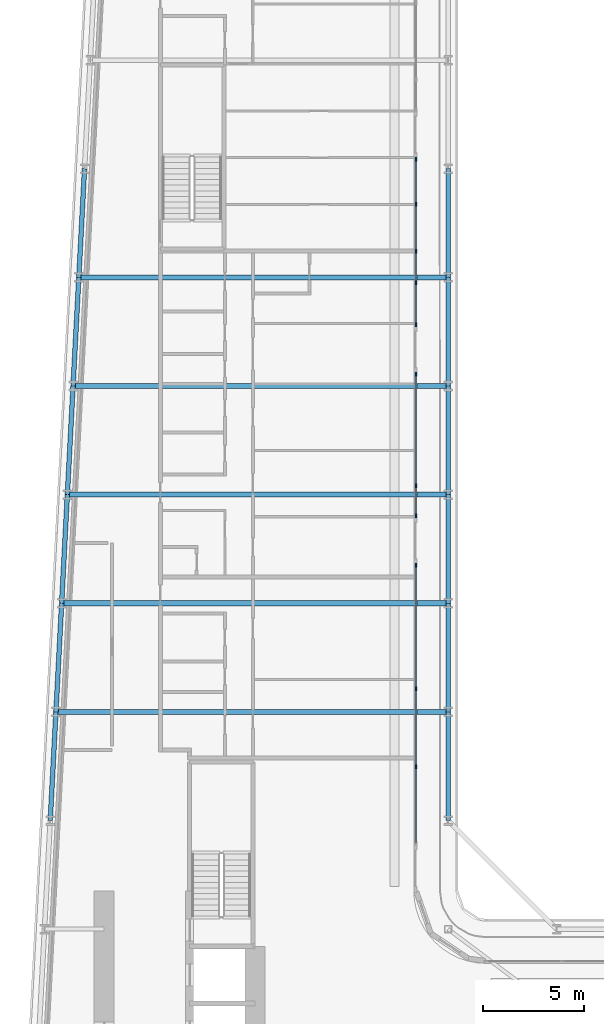
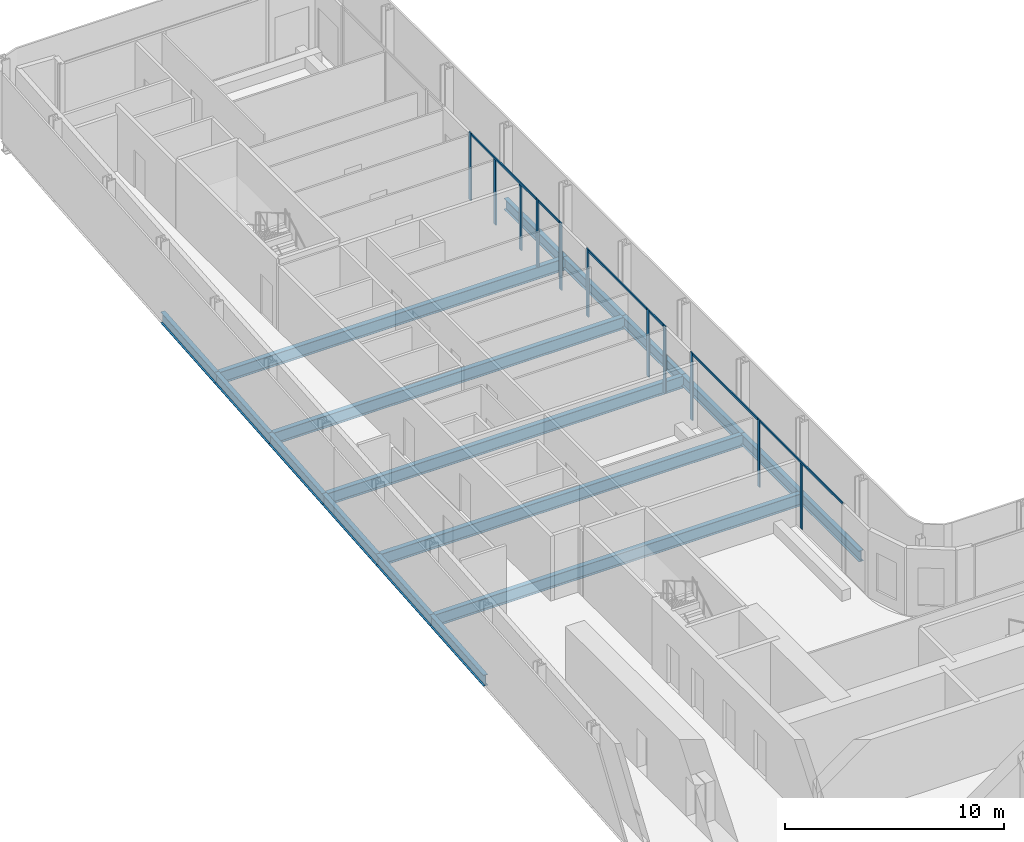
# One storey, part 7 of 28: 17 beams, 17 members, 6 elements without a shape of their own.
"""IFC4 building model written with IfcOpenShell, lengths in metres."""

import ifcopenshell
import ifcopenshell.guid

model = None  # the IFC model being written
_history = None  # IfcOwnerHistory: only IFC2X3 demands one
_inside = {}  # id of a spatial element -> (the spatial element, [elements in it])
_under = {}  # id of a project, library or spatial element -> (it, [spatial elements below it])
_declared = {}  # id of a project -> (the project, [libraries it declares])
_typed = {}  # id of a type object -> (the type object, [elements of that type])
_made_of = {}  # id of a material, layer set ... -> (it, [elements and type objects made of it])


def new_model(schema):
    """Start an empty IFC model of exactly this schema.

    Asked for "IFC4X3", IfcOpenShell would pick the latest addendum, in which some entities
    have other attributes; the version numbers below select the first issue.
    IFC2X3 requires an IfcOwnerHistory on every rooted entity: one is made here for all.
    """
    global model, _history
    if schema == "IFC4X3":
        model = ifcopenshell.file(schema_version=(4, 3, 0, 0))
    else:
        model = ifcopenshell.file(schema=schema)
    _inside.clear()
    _under.clear()
    _declared.clear()
    _typed.clear()
    _made_of.clear()
    _history = None
    if model.schema == "IFC2X3":
        org = make("IfcOrganization", Name="unknown")
        user = make(
            "IfcPersonAndOrganization",
            ThePerson=make("IfcPerson", FamilyName="unknown"),
            TheOrganization=org,
        )
        app = make(
            "IfcApplication",
            ApplicationDeveloper=org,
            Version="unknown",
            ApplicationFullName="unknown",
            ApplicationIdentifier="unknown",
        )
        _history = make(
            "IfcOwnerHistory",
            OwningUser=user,
            OwningApplication=app,
            ChangeAction="ADDED",
            CreationDate=0,
        )
    return model


def make(cls, **values):
    """One entity of the class cls with the attributes given. An attribute that is None is left unset."""
    return model.create_entity(
        cls, **{name: value for name, value in values.items() if value is not None}
    )


def rooted(cls, **values):
    """An entity with a GlobalId (a new one), such as an element, a storey or a relation."""
    return make(cls, GlobalId=ifcopenshell.guid.new(), OwnerHistory=_history, **values)


def si_unit(unit_type, name, prefix=None):
    """IfcSIUnit, for example si_unit("LENGTHUNIT", "METRE", prefix="MILLI")."""
    return make("IfcSIUnit", UnitType=unit_type, Prefix=prefix, Name=name)


def assignment(units):
    """IfcUnitAssignment: the units of a project."""
    return None if units is None else make("IfcUnitAssignment", Units=units)


def point(xyz):
    """IfcCartesianPoint."""
    return None if xyz is None else make("IfcCartesianPoint", Coordinates=xyz)


def direction(xyz):
    """IfcDirection."""
    return None if xyz is None else make("IfcDirection", DirectionRatios=xyz)


def frame(location, z_axis=None, x_axis=None):
    """IfcAxis2Placement3D, a coordinate frame: its origin and axes. An axis left out is left unset."""
    return make(
        "IfcAxis2Placement3D",
        Location=point(location),
        Axis=direction(z_axis),
        RefDirection=direction(x_axis),
    )


def frame_2d(location, x_axis=None):
    """IfcAxis2Placement2D, a coordinate frame in the plane: its origin and x axis."""
    return make(
        "IfcAxis2Placement2D", Location=point(location), RefDirection=direction(x_axis)
    )


def origin():
    """The frame at (0, 0, 0) with its axes left unset."""
    return frame((0.0, 0.0, 0.0))


def origin_2d():
    """The frame at (0, 0) in the plane with its x axis left unset."""
    return frame_2d((0.0, 0.0))


def place(relative_to, where):
    """IfcLocalPlacement: puts the frame where relative to a parent placement (None: the world)."""
    return make(
        "IfcLocalPlacement", PlacementRelTo=relative_to, RelativePlacement=where
    )


def context(
    kind, dimensions, precision=None, world=None, true_north=None, identifier=None
):
    """IfcGeometricRepresentationContext, for example the 3D "Model" context."""
    return make(
        "IfcGeometricRepresentationContext",
        ContextIdentifier=identifier,
        ContextType=kind,
        CoordinateSpaceDimension=dimensions,
        Precision=precision,
        WorldCoordinateSystem=world,
        TrueNorth=true_north,
    )


def subcontext(parent, identifier, kind, view, scale=None):
    """IfcGeometricRepresentationSubContext, for example "Body" below "Model"."""
    return make(
        "IfcGeometricRepresentationSubContext",
        ContextIdentifier=identifier,
        ContextType=kind,
        ParentContext=parent,
        TargetScale=scale,
        TargetView=view,
    )


def project(units=None, contexts=None):
    """IfcProject with its units and contexts."""
    return rooted(
        "IfcProject",
        Name="project",
        RepresentationContexts=contexts,
        UnitsInContext=assignment(units),
    )


def spatial(cls, under=None, at=None, **own):
    """A site, building, storey or space (cls), placed at a placement, below another one or the project."""
    s = rooted(cls, ObjectPlacement=at, **own)
    if under is not None:
        _under.setdefault(under.id(), (under, []))[1].append(s)
    return s


def profile(cls, at=None, kind="AREA", **sizes):
    """A parametric profile (cls). Its sizes go by their IFC names, for example OverallWidth=200.0."""
    return make(cls, ProfileType=kind, Position=at, **sizes)


def rectangle(**sizes):
    """IfcRectangleProfileDef."""
    return profile("IfcRectangleProfileDef", **sizes)


def i_section(**sizes):
    """IfcIShapeProfileDef."""
    return profile("IfcIShapeProfileDef", **sizes)


def extrude(swept, where, along, depth):
    """IfcExtrudedAreaSolid: the profile swept, set in the frame where, extruded along a direction by depth."""
    return make(
        "IfcExtrudedAreaSolid",
        SweptArea=swept,
        Position=where,
        ExtrudedDirection=direction(along),
        Depth=depth,
    )


def shape(context_of_items, identifier, shape_type, items):
    """IfcShapeRepresentation: the items that make up one representation, for example the "Body"."""
    return make(
        "IfcShapeRepresentation",
        ContextOfItems=context_of_items,
        RepresentationIdentifier=identifier,
        RepresentationType=shape_type,
        Items=items,
    )


def material(Name=None, Category=None):
    """IfcMaterial."""
    return make("IfcMaterial", Name=Name, Category=Category)


def layer(
    of_material, thickness, ventilated=None, Name=None, Category=None, Priority=None
):
    """IfcMaterialLayer: one layer of a wall or slab, of a material (None: an air gap)."""
    return make(
        "IfcMaterialLayer",
        Material=of_material,
        LayerThickness=thickness,
        IsVentilated=ventilated,
        Name=Name,
        Category=Category,
        Priority=Priority,
    )


def layer_set(layers, Name=None):
    """IfcMaterialLayerSet."""
    return make("IfcMaterialLayerSet", MaterialLayers=layers, LayerSetName=Name)


def material_profile(
    of_material, cross_section, Name=None, Category=None, Priority=None
):
    """IfcMaterialProfile: a cross section and its material."""
    return make(
        "IfcMaterialProfile",
        Name=Name,
        Material=of_material,
        Profile=cross_section,
        Priority=Priority,
        Category=Category,
    )


def profile_set(profiles, Name=None, composite=None):
    """IfcMaterialProfileSet."""
    return make(
        "IfcMaterialProfileSet",
        Name=Name,
        MaterialProfiles=profiles,
        CompositeProfile=composite,
    )


def made_of(thing, what):
    """Note that an element or type object is made of a material, layer set ...; save() writes the relation."""
    if what is not None:
        _made_of.setdefault(what.id(), (what, []))[1].append(thing)
    return thing


def type_object(cls, material=None, **own):
    """A type object (cls), such as IfcWallType, which elements share."""
    return made_of(rooted(cls, **own), material)


def element(
    cls,
    number,
    at=None,
    inside=None,
    cuts=None,
    type_object=None,
    material=None,
    context=None,
    identifier="Body",
    shape_type=None,
    held_by="IfcProductDefinitionShape",
    body=None,
    shapes=None,
    **own,
):
    """One element of the class cls, such as IfcWall. Its Tag is "e" and its number.

    at: its placement. inside: the storey or other place that contains it. cuts: it is an
    opening in that element (IfcRelVoidsElement). A single representation is given by context,
    identifier, shape_type and body (its items); several are given by shapes. held_by: the class
    of the entity that holds the representations. save() writes the other relations.
    """
    e = rooted(cls, Tag="e%d" % number, ObjectPlacement=at, **own)
    if body is not None:
        shapes = [shape(context, identifier, shape_type, body)]
    if shapes is not None:
        e.Representation = make(held_by, Representations=shapes)
    if inside is not None:
        _inside.setdefault(inside.id(), (inside, []))[1].append(e)
    if cuts is not None:
        rooted(
            "IfcRelVoidsElement", RelatingBuildingElement=cuts, RelatedOpeningElement=e
        )
    if type_object is not None:
        _typed.setdefault(type_object.id(), (type_object, []))[1].append(e)
    return made_of(e, material)


def aggregate(whole, parts):
    """IfcRelAggregates: a whole, such as a stair, and the parts it consists of."""
    return rooted("IfcRelAggregates", RelatingObject=whole, RelatedObjects=parts)


def save(model, path):
    """Write the relations noted so far, then the file.

    IfcRelAggregates (storeys below a building ...), IfcRelContainedInSpatialStructure (elements
    in a storey), IfcRelDefinesByType, IfcRelAssociatesMaterial and IfcRelDeclares: one each for
    every whole, place, type object, material and project.
    """
    for whole, parts in _under.values():
        aggregate(whole, parts)
    for where, things in _inside.values():
        rooted(
            "IfcRelContainedInSpatialStructure",
            RelatedElements=things,
            RelatingStructure=where,
        )
    for kind, things in _typed.values():
        rooted("IfcRelDefinesByType", RelatedObjects=things, RelatingType=kind)
    for what, things in _made_of.values():
        rooted("IfcRelAssociatesMaterial", RelatedObjects=things, RelatingMaterial=what)
    for by, libraries in _declared.values():
        rooted("IfcRelDeclares", RelatingContext=by, RelatedDefinitions=libraries)
    model.write(path)


model = new_model("IFC4")

# Units and contexts
model_context = context("Model", 3, precision=1e-05, world=origin(), true_north=direction((0.0, 1.0)))
body_context = subcontext(model_context, "Body", "Model", "MODEL_VIEW")
ifc_project = project(units=[si_unit("LENGTHUNIT", "METRE"), si_unit("AREAUNIT", "SQUARE_METRE"), si_unit("VOLUMEUNIT", "CUBIC_METRE"), si_unit("PLANEANGLEUNIT", "RADIAN"), si_unit("MASSUNIT", "GRAM", prefix="KILO")], contexts=[model_context])

# Site, building, storey
site_placement = place(None, origin())
site = spatial("IfcSite", under=ifc_project, at=site_placement, CompositionType="ELEMENT")
building_placement = place(site_placement, origin())
building = spatial("IfcBuilding", under=site, at=building_placement, Name="Kheshtan School and Residences Tower", CompositionType="ELEMENT")
storey_placement = place(building_placement, frame((0.0, 0.0, 77.300048828125)))
storey = spatial("IfcBuildingStorey", under=building, at=storey_placement, Name="L18", CompositionType="ELEMENT", Elevation=77.300048828125)

# Beams
ifc_material_1 = material(Name="Steel ASTM A992 Grade 50", Category="steel")
ifc_material_profile_1 = material_profile(ifc_material_1, i_section(OverallWidth=0.2529296875, OverallDepth=0.677978515625, WebThickness=0.01171875, FlangeThickness=0.016357421875, FilletRadius=0.0146484375, at=origin_2d()), Name="W690x125")
ifc_profile_set_1 = profile_set([ifc_material_profile_1], Name="Steel ASTM A992 Grade 50")
beam_type_1 = type_object("IfcBeamType", Name="Beam FB6 W690x125 ASTM A992 Grade 50", PredefinedType="BEAM", material=ifc_profile_set_1)
beam_1_placement = place(storey_placement, frame((47.60009765625, 72.60009765625, -0.489013671875), z_axis=(-1.0, 0.0, 0.0), x_axis=(0.0, -1.0, 0.0)))
element("IfcBeam", 1, at=beam_1_placement, inside=storey, type_object=beam_type_1, Name="Floor beam C087", PredefinedType="BEAM", context=body_context, shape_type="SweptSolid", body=[
    extrude(i_section(OverallWidth=0.2529296875, OverallDepth=0.677978515625, WebThickness=0.01171875, FlangeThickness=0.016357421875, FilletRadius=0.0146484375, at=origin_2d()), origin(), (0.0, 0.0, 1.0), 18.64208984375),
])
beam_2_placement = place(storey_placement, frame((47.60009765625, 61.800048828125, -0.489013671875), z_axis=(-1.0, 0.0, 0.0), x_axis=(0.0, -1.0, 0.0)))
element("IfcBeam", 2, at=beam_2_placement, inside=storey, type_object=beam_type_1, Name="Floor beam C083", PredefinedType="BEAM", context=body_context, shape_type="SweptSolid", body=[
    extrude(i_section(OverallWidth=0.2529296875, OverallDepth=0.677978515625, WebThickness=0.01171875, FlangeThickness=0.016357421875, FilletRadius=0.0146484375, at=origin_2d()), origin(), (0.0, 0.0, 1.0), 19.210205078125),
])
beam_3_placement = place(storey_placement, frame((28.10595703125, 56.39990234375, -0.489013671875), z_axis=(1.0, 0.0, 0.0), x_axis=(0.0, 1.0, 0.0)))
element("IfcBeam", 3, at=beam_3_placement, inside=storey, type_object=beam_type_1, Name="Floor beam C080", PredefinedType="BEAM", context=body_context, shape_type="SweptSolid", body=[
    extrude(i_section(OverallWidth=0.2529296875, OverallDepth=0.677978515625, WebThickness=0.01171875, FlangeThickness=0.016357421875, FilletRadius=0.0146484375, at=origin_2d()), origin(), (0.0, 0.0, 1.0), 19.494140625),
])
beam_4_placement = place(storey_placement, frame((28.674072265625, 67.199951171875, -0.489013671875), z_axis=(1.0, 0.0, 0.0), x_axis=(0.0, 1.0, 0.0)))
element("IfcBeam", 4, at=beam_4_placement, inside=storey, type_object=beam_type_1, Name="Floor beam C084", PredefinedType="BEAM", context=body_context, shape_type="SweptSolid", body=[
    extrude(i_section(OverallWidth=0.2529296875, OverallDepth=0.677978515625, WebThickness=0.01171875, FlangeThickness=0.016357421875, FilletRadius=0.0146484375, at=origin_2d()), origin(), (0.0, 0.0, 1.0), 18.926025390625),
])
beam_5_placement = place(storey_placement, frame((29.242919921875, 78.0, -0.489013671875), z_axis=(1.0, 0.0, 0.0), x_axis=(0.0, 1.0, 0.0)))
element("IfcBeam", 5, at=beam_5_placement, inside=storey, type_object=beam_type_1, Name="Floor beam C088", PredefinedType="BEAM", context=body_context, shape_type="SweptSolid", body=[
    extrude(i_section(OverallWidth=0.2529296875, OverallDepth=0.677978515625, WebThickness=0.01171875, FlangeThickness=0.016357421875, FilletRadius=0.0146484375, at=origin_2d()), origin(), (0.0, 0.0, 1.0), 18.357177734375),
])
ifc_material_profile_2 = material_profile(ifc_material_1, i_section(OverallWidth=0.22998046875, OverallDepth=0.616943359375, WebThickness=0.01318359375, FlangeThickness=0.022216796875, FilletRadius=0.0185546875, at=origin_2d()), Name="W610x140")
ifc_profile_set_2 = profile_set([ifc_material_profile_2], Name="Steel ASTM A992 Grade 50")
beam_type_2 = type_object("IfcBeamType", Name="Beam SP1 W610x140 ASTM A992 Grade 50", PredefinedType="BEAM", material=ifc_profile_set_2)
for number, where, z_axis, x_axis, name in (
    (6, (47.60009765625, 83.39990234375, -0.45849609375), (0.0, -1.0, 0.0), (1.0, 0.0, 0.0), "Spandrel beam C091-C089"),
    (7, (47.60009765625, 78.0, -0.45849609375), (0.0, -1.0, 0.0), (1.0, 0.0, 0.0), "Spandrel beam C089-C087"),
):
    element("IfcBeam", number, at=place(storey_placement, frame(where, z_axis=z_axis, x_axis=x_axis)), inside=storey, type_object=beam_type_2, Name=name, PredefinedType="BEAM", context=body_context, shape_type="SweptSolid", body=[
        extrude(i_section(OverallWidth=0.22998046875, OverallDepth=0.616943359375, WebThickness=0.01318359375, FlangeThickness=0.022216796875, FilletRadius=0.0185546875, at=origin_2d()), origin(), (0.0, 0.0, 1.0), 5.39990234375),
    ])
beam_6_placement = place(storey_placement, frame((47.60009765625, 72.60009765625, -0.45849609375), z_axis=(0.0, -1.0, 0.0), x_axis=(1.0, 0.0, 0.0)))
element("IfcBeam", 8, at=beam_6_placement, inside=storey, type_object=beam_type_2, Name="Spandrel beam C087-C085", PredefinedType="BEAM", context=body_context, shape_type="SweptSolid", body=[
    extrude(i_section(OverallWidth=0.22998046875, OverallDepth=0.616943359375, WebThickness=0.01318359375, FlangeThickness=0.022216796875, FilletRadius=0.0185546875, at=origin_2d()), origin(), (0.0, 0.0, 1.0), 5.400146484375),
])
beam_7_placement = place(storey_placement, frame((47.60009765625, 67.199951171875, -0.45849609375), z_axis=(0.0, -1.0, 0.0), x_axis=(1.0, 0.0, 0.0)))
element("IfcBeam", 9, at=beam_7_placement, inside=storey, type_object=beam_type_2, Name="Spandrel beam C085-C083", PredefinedType="BEAM", context=body_context, shape_type="SweptSolid", body=[
    extrude(i_section(OverallWidth=0.22998046875, OverallDepth=0.616943359375, WebThickness=0.01318359375, FlangeThickness=0.022216796875, FilletRadius=0.0185546875, at=origin_2d()), origin(), (0.0, 0.0, 1.0), 5.39990234375),
])
beam_8_placement = place(storey_placement, frame((47.60009765625, 61.800048828125, -0.45849609375), z_axis=(0.0, -1.0, 0.0), x_axis=(1.0, 0.0, 0.0)))
element("IfcBeam", 10, at=beam_8_placement, inside=storey, type_object=beam_type_2, Name="Spandrel beam C083-C081", PredefinedType="BEAM", context=body_context, shape_type="SweptSolid", body=[
    extrude(i_section(OverallWidth=0.22998046875, OverallDepth=0.616943359375, WebThickness=0.01318359375, FlangeThickness=0.022216796875, FilletRadius=0.0185546875, at=origin_2d()), origin(), (0.0, 0.0, 1.0), 5.400146484375),
])
beam_9_placement = place(storey_placement, frame((47.60009765625, 56.39990234375, -0.45849609375), z_axis=(0.0, -1.0, 0.0), x_axis=(1.0, 0.0, 0.0)))
element("IfcBeam", 11, at=beam_9_placement, inside=storey, type_object=beam_type_2, Name="Spandrel beam C081-C079", PredefinedType="BEAM", context=body_context, shape_type="SweptSolid", body=[
    extrude(i_section(OverallWidth=0.22998046875, OverallDepth=0.616943359375, WebThickness=0.01318359375, FlangeThickness=0.022216796875, FilletRadius=0.0185546875, at=origin_2d()), origin(), (0.0, 0.0, 1.0), 5.39990234375),
])
beam_10_placement = place(storey_placement, frame((27.822021484375, 51.0, -0.45849609375), z_axis=(0.05250906864, 0.998620447272, 0.0), x_axis=(-0.998620447272, 0.05250906864, 0.0)))
element("IfcBeam", 12, at=beam_10_placement, inside=storey, type_object=beam_type_2, Name="Spandrel beam C078-C080", PredefinedType="BEAM", context=body_context, shape_type="SweptSolid", body=[
    extrude(i_section(OverallWidth=0.22998046875, OverallDepth=0.616943359375, WebThickness=0.01318359375, FlangeThickness=0.022216796875, FilletRadius=0.0185546875, at=origin_2d()), origin(), (0.0, 0.0, 1.0), 5.407470703125),
])
beam_11_placement = place(storey_placement, frame((28.10595703125, 56.39990234375, -0.45849609375), z_axis=(0.05250670125, 0.998620571751, 0.0), x_axis=(-0.998620571751, 0.05250670125, 0.0)))
element("IfcBeam", 13, at=beam_11_placement, inside=storey, type_object=beam_type_2, Name="Spandrel beam C080-C082", PredefinedType="BEAM", context=body_context, shape_type="SweptSolid", body=[
    extrude(i_section(OverallWidth=0.22998046875, OverallDepth=0.616943359375, WebThickness=0.01318359375, FlangeThickness=0.022216796875, FilletRadius=0.0185546875, at=origin_2d()), origin(), (0.0, 0.0, 1.0), 5.40771484375),
])
beam_12_placement = place(storey_placement, frame((28.389892578125, 61.800048828125, -0.45849609375), z_axis=(0.052554093665, 0.998618078766, 0.0), x_axis=(-0.998618078766, 0.052554093665, 0.0)))
element("IfcBeam", 14, at=beam_12_placement, inside=storey, type_object=beam_type_2, Name="Spandrel beam C082-C084", PredefinedType="BEAM", context=body_context, shape_type="SweptSolid", body=[
    extrude(i_section(OverallWidth=0.22998046875, OverallDepth=0.616943359375, WebThickness=0.01318359375, FlangeThickness=0.022216796875, FilletRadius=0.0185546875, at=origin_2d()), origin(), (0.0, 0.0, 1.0), 5.407470703125),
])
beam_13_placement = place(storey_placement, frame((28.674072265625, 67.199951171875, -0.45849609375), z_axis=(0.05250670125, 0.998620571751, 0.0), x_axis=(-0.998620571751, 0.05250670125, 0.0)))
element("IfcBeam", 15, at=beam_13_placement, inside=storey, type_object=beam_type_2, Name="Spandrel beam C084-C086", PredefinedType="BEAM", context=body_context, shape_type="SweptSolid", body=[
    extrude(i_section(OverallWidth=0.22998046875, OverallDepth=0.616943359375, WebThickness=0.01318359375, FlangeThickness=0.022216796875, FilletRadius=0.0185546875, at=origin_2d()), origin(), (0.0, 0.0, 1.0), 5.40771484375),
])
for number, where, z_axis, x_axis, name in (
    (16, (28.9580078125, 72.60009765625, -0.45849609375), (0.052689166816, 0.998610961136, 0.0), (-0.998610961136, 0.052689166816, 0.0), "Spandrel beam C086-C088"),
    (17, (29.242919921875, 78.0, -0.45849609375), (0.052554093665, 0.998618078766, 0.0), (-0.998618078766, 0.052554093665, 0.0), "Spandrel beam C088-C090"),
):
    element("IfcBeam", number, at=place(storey_placement, frame(where, z_axis=z_axis, x_axis=x_axis)), inside=storey, type_object=beam_type_2, Name=name, PredefinedType="BEAM", context=body_context, shape_type="SweptSolid", body=[
        extrude(i_section(OverallWidth=0.22998046875, OverallDepth=0.616943359375, WebThickness=0.01318359375, FlangeThickness=0.022216796875, FilletRadius=0.0185546875, at=origin_2d()), origin(), (0.0, 0.0, 1.0), 5.407470703125),
    ])

# Curtain wall, members
ifc_material_2 = material(Name="Clear low-e glass in thermally broken aluminium frame", Category="aluminium")
ifc_layer = layer(ifc_material_2, 0.199951171875)
ifc_layer_set = layer_set([ifc_layer], Name="Curtain wall CW-L")
curtain_wall_type = type_object("IfcCurtainWallType", Name="Curtain wall CW-L", PredefinedType="NOTDEFINED", material=ifc_layer_set)
curtain_wall_1_placement = place(storey_placement, origin())
curtain_wall_1 = element("IfcCurtainWall", 18, at=curtain_wall_1_placement, inside=storey, type_object=curtain_wall_type, Name="Curtain wall CWL8b", PredefinedType="NOTDEFINED")
ifc_material_3 = material(Name="Thermally broken aluminium, dark bronze anodised", Category="aluminium")
ifc_material_profile_3 = material_profile(ifc_material_3, rectangle(XDim=0.06005859375, YDim=0.199951171875, at=origin_2d()), Name="CW-L mullion 60x200")
ifc_profile_set_3 = profile_set([ifc_material_profile_3], Name="Thermally broken aluminium, dark bronze anodised")
member_type_1 = type_object("IfcMemberType", Name="CW-L mullion 60x200", PredefinedType="MULLION", material=ifc_profile_set_3)
member_1_placement = place(storey_placement, frame((46.0, 83.8759765625, 0.0), z_axis=(0.0, 0.0, 1.0), x_axis=(1.0, 0.0, 0.0)))
member_1 = element("IfcMember", 19, at=member_1_placement, type_object=member_type_1, Name="CWL8b mullion 1", PredefinedType="MULLION", context=body_context, shape_type="SweptSolid", body=[
    extrude(rectangle(XDim=0.06005859375, YDim=0.199951171875, at=origin_2d()), origin(), (0.0, 0.0, 1.0), 3.75),
])
member_2_placement = place(storey_placement, frame((46.0, 81.625, 0.0), z_axis=(0.0, 0.0, 1.0), x_axis=(1.0, 0.0, 0.0)))
member_2 = element("IfcMember", 20, at=member_2_placement, type_object=member_type_1, Name="CWL8b mullion 2", PredefinedType="MULLION", context=body_context, shape_type="SweptSolid", body=[
    extrude(rectangle(XDim=0.06005859375, YDim=0.199951171875, at=origin_2d()), origin(), (0.0, 0.0, 1.0), 3.6298828125),
])
member_3_placement = place(storey_placement, frame((46.0, 79.300048828125, 0.0), z_axis=(0.0, 0.0, 1.0), x_axis=(1.0, 0.0, 0.0)))
member_3 = element("IfcMember", 21, at=member_3_placement, type_object=member_type_1, Name="CWL8b mullion 3", PredefinedType="MULLION", context=body_context, shape_type="SweptSolid", body=[
    extrude(rectangle(XDim=0.06005859375, YDim=0.199951171875, at=origin_2d()), origin(), (0.0, 0.0, 1.0), 3.6298828125),
])
member_4_placement = place(storey_placement, frame((46.0, 77.741943359375, 0.0), z_axis=(0.0, 0.0, 1.0), x_axis=(1.0, 0.0, 0.0)))
member_4 = element("IfcMember", 22, at=member_4_placement, type_object=member_type_1, Name="CWL8b mullion 4", PredefinedType="MULLION", context=body_context, shape_type="SweptSolid", body=[
    extrude(rectangle(XDim=0.06005859375, YDim=0.199951171875, at=origin_2d()), origin(), (0.0, 0.0, 1.0), 3.75),
])

# Curtain wall, member
curtain_wall_2_placement = place(storey_placement, origin())
curtain_wall_2 = element("IfcCurtainWall", 23, at=curtain_wall_2_placement, inside=storey, type_object=curtain_wall_type, Name="Curtain wall CWL8i", PredefinedType="NOTDEFINED")
member_5_placement = place(storey_placement, frame((46.0, 75.64208984375, 0.0), z_axis=(0.0, 0.0, 1.0), x_axis=(1.0, 0.0, 0.0)))
member_5 = element("IfcMember", 24, at=member_5_placement, type_object=member_type_1, Name="CWL8i mullion 2", PredefinedType="MULLION", context=body_context, shape_type="SweptSolid", body=[
    extrude(rectangle(XDim=0.06005859375, YDim=0.199951171875, at=origin_2d()), origin(), (0.0, 0.0, 1.0), 3.75),
])

# Curtain wall, members
curtain_wall_3_placement = place(storey_placement, origin())
curtain_wall_3 = element("IfcCurtainWall", 25, at=curtain_wall_3_placement, inside=storey, type_object=curtain_wall_type, Name="Curtain wall CWL8j", PredefinedType="NOTDEFINED")
member_6_placement = place(storey_placement, frame((46.0, 73.181884765625, 0.0), z_axis=(0.0, 0.0, 1.0), x_axis=(1.0, 0.0, 0.0)))
member_6 = element("IfcMember", 26, at=member_6_placement, type_object=member_type_1, Name="CWL8j mullion 1", PredefinedType="MULLION", context=body_context, shape_type="SweptSolid", body=[
    extrude(rectangle(XDim=0.06005859375, YDim=0.199951171875, at=origin_2d()), origin(), (0.0, 0.0, 1.0), 3.75),
])
member_7_placement = place(storey_placement, frame((46.0, 67.64794921875, 0.0), z_axis=(0.0, 0.0, 1.0), x_axis=(1.0, 0.0, 0.0)))
member_7 = element("IfcMember", 27, at=member_7_placement, type_object=member_type_1, Name="CWL8j mullion 2", PredefinedType="MULLION", context=body_context, shape_type="SweptSolid", body=[
    extrude(rectangle(XDim=0.06005859375, YDim=0.199951171875, at=origin_2d()), origin(), (0.0, 0.0, 1.0), 3.75),
])

# Curtain wall, member
curtain_wall_4_placement = place(storey_placement, origin())
curtain_wall_4 = element("IfcCurtainWall", 28, at=curtain_wall_4_placement, inside=storey, type_object=curtain_wall_type, Name="Curtain wall CWL8a", PredefinedType="NOTDEFINED")
member_8_placement = place(storey_placement, frame((46.0, 66.14794921875, 0.0), z_axis=(0.0, 0.0, 1.0), x_axis=(1.0, 0.0, 0.0)))
member_8 = element("IfcMember", 29, at=member_8_placement, type_object=member_type_1, Name="CWL8a mullion 2", PredefinedType="MULLION", context=body_context, shape_type="SweptSolid", body=[
    extrude(rectangle(XDim=0.06005859375, YDim=0.199951171875, at=origin_2d()), origin(), (0.0, 0.0, 1.0), 3.75),
])

# Curtain wall, members
curtain_wall_5_placement = place(storey_placement, origin())
curtain_wall_5 = element("IfcCurtainWall", 30, at=curtain_wall_5_placement, inside=storey, type_object=curtain_wall_type, Name="Curtain wall CWL8d", PredefinedType="NOTDEFINED")
member_9_placement = place(storey_placement, frame((46.0, 63.68798828125, 0.0), z_axis=(0.0, 0.0, 1.0), x_axis=(1.0, 0.0, 0.0)))
member_9 = element("IfcMember", 31, at=member_9_placement, type_object=member_type_1, Name="CWL8d mullion 1", PredefinedType="MULLION", context=body_context, shape_type="SweptSolid", body=[
    extrude(rectangle(XDim=0.06005859375, YDim=0.199951171875, at=origin_2d()), origin(), (0.0, 0.0, 1.0), 3.75),
])
member_10_placement = place(storey_placement, frame((46.0, 57.553955078125, 0.0), z_axis=(0.0, 0.0, 1.0), x_axis=(1.0, 0.0, 0.0)))
member_10 = element("IfcMember", 32, at=member_10_placement, type_object=member_type_1, Name="CWL8d mullion 2", PredefinedType="MULLION", context=body_context, shape_type="SweptSolid", body=[
    extrude(rectangle(XDim=0.06005859375, YDim=0.199951171875, at=origin_2d()), origin(), (0.0, 0.0, 1.0), 3.75),
])

# Curtain wall, member
curtain_wall_6_placement = place(storey_placement, origin())
curtain_wall_6 = element("IfcCurtainWall", 33, at=curtain_wall_6_placement, inside=storey, type_object=curtain_wall_type, Name="Curtain wall CWL8", PredefinedType="NOTDEFINED")
member_11_placement = place(storey_placement, frame((46.0, 53.677001953125, 0.0), z_axis=(0.0, 0.0, 1.0), x_axis=(1.0, 0.0, 0.0)))
member_11 = element("IfcMember", 34, at=member_11_placement, type_object=member_type_1, Name="CWL8 mullion 2", PredefinedType="MULLION", context=body_context, shape_type="SweptSolid", body=[
    extrude(rectangle(XDim=0.06005859375, YDim=0.199951171875, at=origin_2d()), origin(), (0.0, 0.0, 1.0), 3.6298828125),
])

# Member
ifc_material_profile_4 = material_profile(ifc_material_3, rectangle(XDim=0.06005859375, YDim=0.1201171875, at=origin_2d()), Name="CW-L transom 60x120")
ifc_profile_set_4 = profile_set([ifc_material_profile_4], Name="Thermally broken aluminium, dark bronze anodised")
member_type_2 = type_object("IfcMemberType", Name="CW-L transom 60x120", PredefinedType="USERDEFINED", material=ifc_profile_set_4)
member_12_placement = place(storey_placement, frame((46.0, 83.845947265625, 3.68994140625), z_axis=(0.0, -1.0, 0.0), x_axis=(1.0, 0.0, 0.0)))
member_12 = element("IfcMember", 35, at=member_12_placement, type_object=member_type_2, Name="CWL8b transom 1", ObjectType="TRANSOM", PredefinedType="USERDEFINED", context=body_context, shape_type="SweptSolid", body=[
    extrude(rectangle(XDim=0.06005859375, YDim=0.1201171875, at=origin_2d()), origin(), (0.0, 0.0, 1.0), 6.073974609375),
])

aggregate(curtain_wall_1, [member_1, member_2, member_3, member_4, member_12])

member_13_placement = place(storey_placement, frame((46.0, 77.7119140625, 3.68994140625), z_axis=(0.0, -1.0, 0.0), x_axis=(1.0, 0.0, 0.0)))
member_13 = element("IfcMember", 36, at=member_13_placement, type_object=member_type_2, Name="CWL8i transom 1", ObjectType="TRANSOM", PredefinedType="USERDEFINED", context=body_context, shape_type="SweptSolid", body=[
    extrude(rectangle(XDim=0.06005859375, YDim=0.1201171875, at=origin_2d()), origin(), (0.0, 0.0, 1.0), 2.039794921875),
])

aggregate(curtain_wall_2, [member_5, member_13])

member_14_placement = place(storey_placement, frame((46.0, 73.152099609375, 3.68994140625), z_axis=(0.0, -1.0, 0.0), x_axis=(1.0, 0.0, 0.0)))
member_14 = element("IfcMember", 37, at=member_14_placement, type_object=member_type_2, Name="CWL8j transom 1", ObjectType="TRANSOM", PredefinedType="USERDEFINED", context=body_context, shape_type="SweptSolid", body=[
    extrude(rectangle(XDim=0.06005859375, YDim=0.1201171875, at=origin_2d()), origin(), (0.0, 0.0, 1.0), 5.47412109375),
])

aggregate(curtain_wall_3, [member_6, member_7, member_14])

member_15_placement = place(storey_placement, frame((46.0, 67.617919921875, 3.68994140625), z_axis=(0.0, -1.0, 0.0), x_axis=(1.0, 0.0, 0.0)))
member_15 = element("IfcMember", 38, at=member_15_placement, type_object=member_type_2, Name="CWL8a transom 1", ObjectType="TRANSOM", PredefinedType="USERDEFINED", context=body_context, shape_type="SweptSolid", body=[
    extrude(rectangle(XDim=0.06005859375, YDim=0.1201171875, at=origin_2d()), origin(), (0.0, 0.0, 1.0), 1.43994140625),
])

aggregate(curtain_wall_4, [member_8, member_15])

member_16_placement = place(storey_placement, frame((46.0, 63.657958984375, 3.68994140625), z_axis=(0.0, -1.0, 0.0), x_axis=(1.0, 0.0, 0.0)))
member_16 = element("IfcMember", 39, at=member_16_placement, type_object=member_type_2, Name="CWL8d transom 1", ObjectType="TRANSOM", PredefinedType="USERDEFINED", context=body_context, shape_type="SweptSolid", body=[
    extrude(rectangle(XDim=0.06005859375, YDim=0.1201171875, at=origin_2d()), origin(), (0.0, 0.0, 1.0), 6.073974609375),
])

aggregate(curtain_wall_5, [member_9, member_10, member_16])

member_17_placement = place(storey_placement, frame((46.0, 57.52392578125, 3.68994140625), z_axis=(0.0, -1.0, 0.0), x_axis=(1.0, 0.0, 0.0)))
member_17 = element("IfcMember", 40, at=member_17_placement, type_object=member_type_2, Name="CWL8 transom 1", ObjectType="TRANSOM", PredefinedType="USERDEFINED", context=body_context, shape_type="SweptSolid", body=[
    extrude(rectangle(XDim=0.06005859375, YDim=0.1201171875, at=origin_2d()), origin(), (0.0, 0.0, 1.0), 7.634033203125),
])

aggregate(curtain_wall_6, [member_11, member_17])

save(model, "model.ifc")
